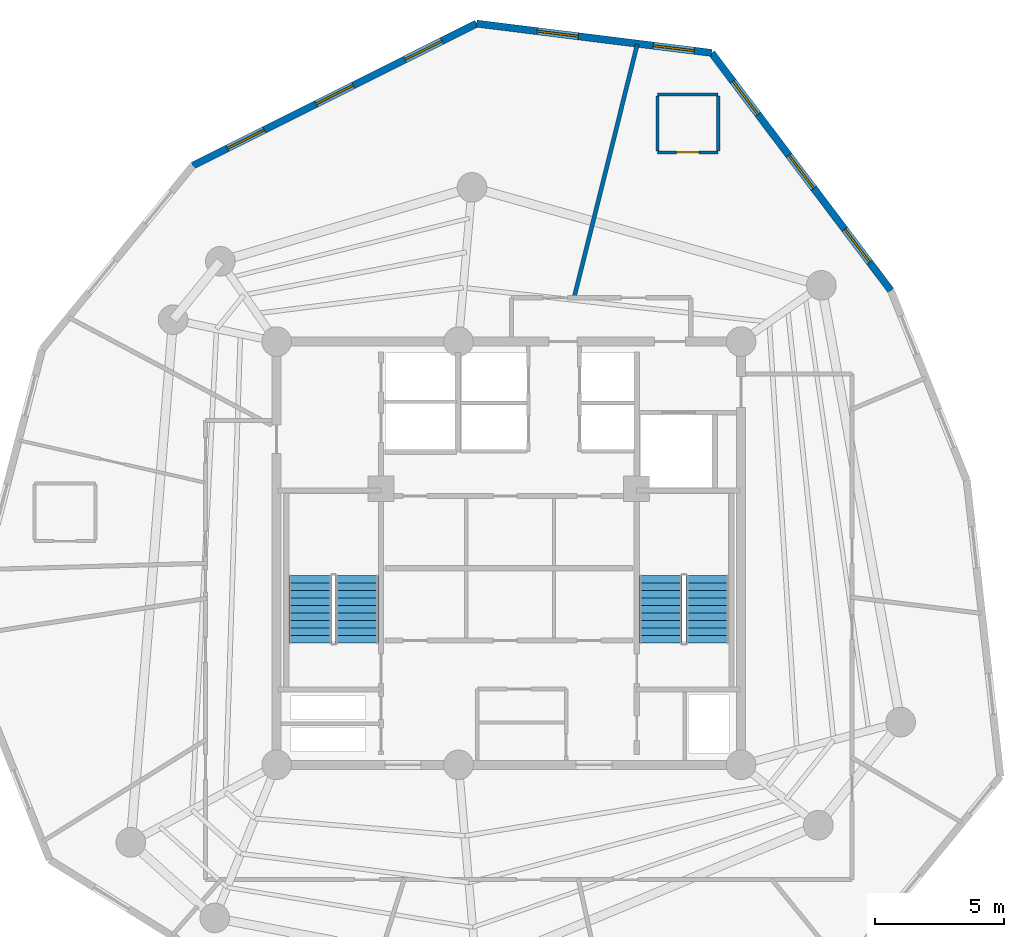
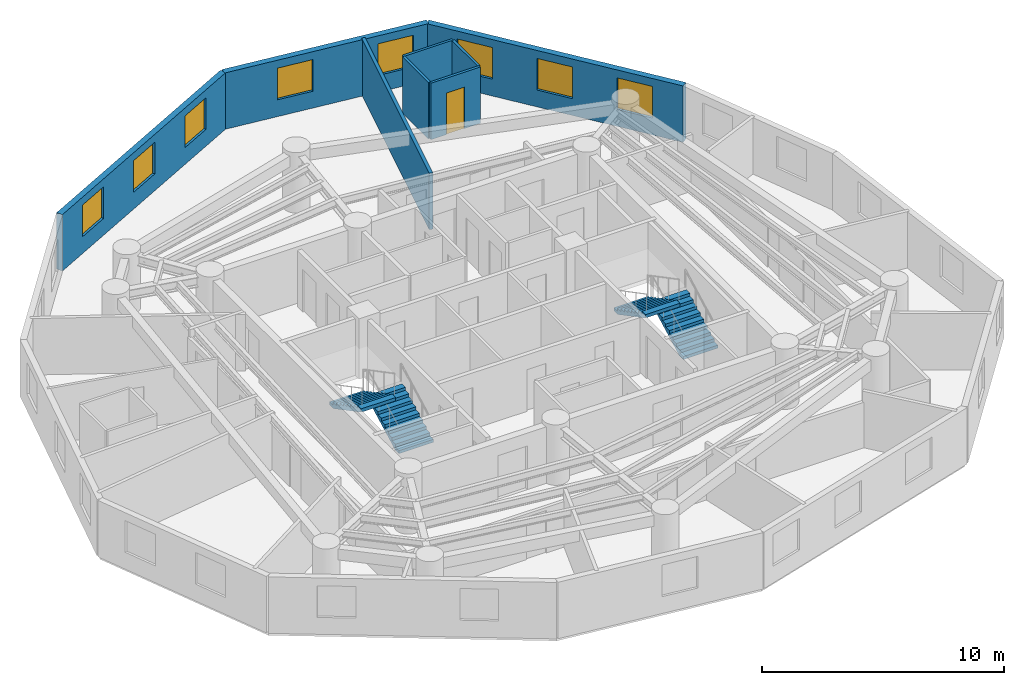
# One storey, part 6 of 7: 8 walls, 8 windows, 4 stair flights, 1 door, 9 openings, 2 elements without a shape of their own.
"""IFC4 building model written with IfcOpenShell, lengths in metres."""

from ifc_helpers import new_model, si_unit, direction, frame, frame_2d, origin, origin_with_axes, place, context, subcontext, project, spatial, polyline, rectangle, outline, extrude, source, transform, mapped, material, layer, layer_set, type_object, element, fill, aggregate, save


model = new_model("IFC4")

# Units and contexts
model_context = context("Model", 3, precision=1e-05, world=origin(), true_north=direction((0.0, 1.0)))
body_context = subcontext(model_context, "Body", "Model", "MODEL_VIEW")
ifc_project = project(units=[si_unit("LENGTHUNIT", "METRE"), si_unit("AREAUNIT", "SQUARE_METRE"), si_unit("VOLUMEUNIT", "CUBIC_METRE"), si_unit("PLANEANGLEUNIT", "RADIAN"), si_unit("MASSUNIT", "GRAM", prefix="KILO")], contexts=[model_context])

# Site, building, storey
site_placement = place(None, origin())
site = spatial("IfcSite", under=ifc_project, at=site_placement, CompositionType="ELEMENT")
building_placement = place(site_placement, origin())
building = spatial("IfcBuilding", under=site, at=building_placement, Name="Karkom Vertical University and Central Library", CompositionType="ELEMENT")
storey_placement = place(building_placement, frame((0.0, 0.0, 241.300048828125)))
storey = spatial("IfcBuildingStorey", under=building, at=storey_placement, Name="L71", CompositionType="ELEMENT", Elevation=241.300048828125)

# Wall, openings, windows
ifc_material_1 = material(Name="Brick-faced precast concrete C45/55", Category="masonry")
ifc_layer_1 = layer(ifc_material_1, 0.280029296875)
ifc_layer_set_1 = layer_set([ifc_layer_1], Name="Brick-faced precast concrete C45/55")
wall_type_1 = type_object("IfcWallType", Name="ENV-WL-BRK-280", PredefinedType="SOLIDWALL", material=ifc_layer_set_1)
wall_1_placement = place(storey_placement, frame((43.313232421875, 36.6728515625, 0.0), z_axis=(0.0, 0.0, 1.0), x_axis=(-0.602328364813, 0.79824842057, 0.0)))
wall_1 = element("IfcWall", 1, at=wall_1_placement, inside=storey, type_object=wall_type_1, Name="Level 71 Brick-Faced Precast Facade Wall 08", PredefinedType="SOLIDWALL", context=body_context, shape_type="SweptSolid", body=[
    extrude(rectangle(XDim=11.546630859375, YDim=0.280029296875, at=frame_2d((5.7734375, 0.0))), origin(), (0.0, 0.0, 1.0), 2.849853515625),
])
opening_1_placement = place(wall_1_placement, frame((1.377685546875, 0.0, 0.85009765625)))
opening_1 = element("IfcOpeningElement", 2, at=opening_1_placement, cuts=wall_1, Name="Opening WN-10", PredefinedType="OPENING", context=body_context, shape_type="SweptSolid", body=[
    extrude(rectangle(XDim=1.60009765625, YDim=1.60009765625, at=frame_2d((0.800048828125, 0.800048828125))), frame((0.0, 0.14990234375, 0.0), z_axis=(0.0, -1.0, 0.0), x_axis=(1.0, 0.0, 0.0)), (0.0, 0.0, 1.0), 0.300048828125),
])
opening_2_placement = place(wall_1_placement, frame((4.973388671875, 0.0, 0.85009765625)))
opening_2 = element("IfcOpeningElement", 3, at=opening_2_placement, cuts=wall_1, Name="Opening WN-10", PredefinedType="OPENING", context=body_context, shape_type="SweptSolid", body=[
    extrude(rectangle(XDim=1.60009765625, YDim=1.60009765625, at=frame_2d((0.800048828125, 0.800048828125))), frame((0.0, 0.14990234375, 0.0), z_axis=(0.0, -1.0, 0.0), x_axis=(1.0, 0.0, 0.0)), (0.0, 0.0, 1.0), 0.300048828125),
])
opening_3_placement = place(wall_1_placement, frame((8.56884765625, 0.0, 0.85009765625)))
opening_3 = element("IfcOpeningElement", 4, at=opening_3_placement, cuts=wall_1, Name="Opening WN-10", PredefinedType="OPENING", context=body_context, shape_type="SweptSolid", body=[
    extrude(rectangle(XDim=1.60009765625, YDim=1.60009765625, at=frame_2d((0.800048828125, 0.800048828125))), frame((0.0, 0.14990234375, 0.0), z_axis=(0.0, -1.0, 0.0), x_axis=(1.0, 0.0, 0.0)), (0.0, 0.0, 1.0), 0.300048828125),
])
ifc_material_2 = material(Name="Aluminium thermal-break frame with solar-control IGU", Category="aluminium")
window_type = type_object("IfcWindowType", Name="ENV-WIN-WN-10", PartitioningType="SINGLE_PANEL", PredefinedType="WINDOW", material=ifc_material_2)
shared_shape_1 = source(origin_with_axes(), body_context, "Body", "SweptSolid", [
    extrude(rectangle(XDim=1.60009765625, YDim=1.60009765625, at=frame_2d((0.800048828125, 0.800048828125))), frame((0.0, 0.030029296875, 0.0), z_axis=(0.0, -1.0, 0.0), x_axis=(1.0, 0.0, 0.0)), (0.0, 0.0, 1.0), 0.06005859375),
])
window_1_placement = place(opening_1_placement, origin())
window_1 = element("IfcWindow", 5, at=window_1_placement, inside=storey, type_object=window_type, Name="Level 71 Punched Window 8.1", OverallHeight=1.60009765625, OverallWidth=1.60009765625, PartitioningType="SINGLE_PANEL", PredefinedType="WINDOW", context=body_context, shape_type="MappedRepresentation", body=[
    mapped(shared_shape_1, transform((0.0, 0.0, 0.0), scale=1.0)),
])
fill(opening_1, window_1)
window_2_placement = place(opening_2_placement, origin())
window_2 = element("IfcWindow", 6, at=window_2_placement, inside=storey, type_object=window_type, Name="Level 71 Punched Window 8.2", OverallHeight=1.60009765625, OverallWidth=1.60009765625, PartitioningType="SINGLE_PANEL", PredefinedType="WINDOW", context=body_context, shape_type="MappedRepresentation", body=[
    mapped(shared_shape_1, transform((0.0, 0.0, 0.0), scale=1.0)),
])
fill(opening_2, window_2)
window_3_placement = place(opening_3_placement, origin())
window_3 = element("IfcWindow", 7, at=window_3_placement, inside=storey, type_object=window_type, Name="Level 71 Punched Window 8.3", OverallHeight=1.60009765625, OverallWidth=1.60009765625, PartitioningType="SINGLE_PANEL", PredefinedType="WINDOW", context=body_context, shape_type="MappedRepresentation", body=[
    mapped(shared_shape_1, transform((0.0, 0.0, 0.0), scale=1.0)),
])
fill(opening_3, window_3)

wall_2_placement = place(storey_placement, frame((36.3583984375, 45.889892578125, 0.0), z_axis=(0.0, 0.0, 1.0), x_axis=(-0.992319149764, 0.123704102644, 0.0)))
wall_2 = element("IfcWall", 8, at=wall_2_placement, inside=storey, type_object=wall_type_1, Name="Level 71 Brick-Faced Precast Facade Wall 09", PredefinedType="SOLIDWALL", context=body_context, shape_type="SweptSolid", body=[
    extrude(rectangle(XDim=9.17919921875, YDim=0.280029296875, at=frame_2d((4.589599609375, 0.0))), origin(), (0.0, 0.0, 1.0), 2.849853515625),
])
opening_4_placement = place(wall_2_placement, frame((0.68115234375, 0.0, 0.85009765625)))
opening_4 = element("IfcOpeningElement", 9, at=opening_4_placement, cuts=wall_2, Name="Opening WN-10", PredefinedType="OPENING", context=body_context, shape_type="SweptSolid", body=[
    extrude(rectangle(XDim=1.60009765625, YDim=1.60009765625, at=frame_2d((0.800048828125, 0.800048828125))), frame((0.0, 0.14990234375, 0.0), z_axis=(0.0, -1.0, 0.0), x_axis=(1.0, 0.0, 0.0)), (0.0, 0.0, 1.0), 0.300048828125),
])
opening_5_placement = place(wall_2_placement, frame((5.210693359375, 0.0, 0.85009765625)))
opening_5 = element("IfcOpeningElement", 10, at=opening_5_placement, cuts=wall_2, Name="Opening WN-10", PredefinedType="OPENING", context=body_context, shape_type="SweptSolid", body=[
    extrude(rectangle(XDim=1.60009765625, YDim=1.60009765625, at=frame_2d((0.800048828125, 0.800048828125))), frame((0.0, 0.14990234375, 0.0), z_axis=(0.0, -1.0, 0.0), x_axis=(1.0, 0.0, 0.0)), (0.0, 0.0, 1.0), 0.300048828125),
])
window_4_placement = place(opening_4_placement, origin())
window_4 = element("IfcWindow", 11, at=window_4_placement, inside=storey, type_object=window_type, Name="Level 71 Punched Window 9.1", OverallHeight=1.60009765625, OverallWidth=1.60009765625, PartitioningType="SINGLE_PANEL", PredefinedType="WINDOW", context=body_context, shape_type="MappedRepresentation", body=[
    mapped(shared_shape_1, transform((0.0, 0.0, 0.0), scale=1.0)),
])
fill(opening_4, window_4)
window_5_placement = place(opening_5_placement, origin())
window_5 = element("IfcWindow", 12, at=window_5_placement, inside=storey, type_object=window_type, Name="Level 71 Punched Window 9.2", OverallHeight=1.60009765625, OverallWidth=1.60009765625, PartitioningType="SINGLE_PANEL", PredefinedType="WINDOW", context=body_context, shape_type="MappedRepresentation", body=[
    mapped(shared_shape_1, transform((0.0, 0.0, 0.0), scale=1.0)),
])
fill(opening_5, window_5)

wall_3_placement = place(storey_placement, frame((27.249755859375, 47.025390625, 0.0), z_axis=(0.0, 0.0, 1.0), x_axis=(-0.894196854903, -0.447673971414, 0.0)))
wall_3 = element("IfcWall", 13, at=wall_3_placement, inside=storey, type_object=wall_type_1, Name="Level 71 Brick-Faced Precast Facade Wall 10", PredefinedType="SOLIDWALL", context=body_context, shape_type="SweptSolid", body=[
    extrude(rectangle(XDim=12.301513671875, YDim=0.280029296875, at=frame_2d((6.15087890625, 0.0))), origin(), (0.0, 0.0, 1.0), 2.849853515625),
])
opening_6_placement = place(wall_3_placement, frame((1.503662109375, 0.0, 0.85009765625)))
opening_6 = element("IfcOpeningElement", 14, at=opening_6_placement, cuts=wall_3, Name="Opening WN-10", PredefinedType="OPENING", context=body_context, shape_type="SweptSolid", body=[
    extrude(rectangle(XDim=1.60009765625, YDim=1.60009765625, at=frame_2d((0.800048828125, 0.800048828125))), frame((0.0, 0.14990234375, 0.0), z_axis=(0.0, -1.0, 0.0), x_axis=(1.0, 0.0, 0.0)), (0.0, 0.0, 1.0), 0.300048828125),
])
opening_7_placement = place(wall_3_placement, frame((5.350830078125, 0.0, 0.85009765625)))
opening_7 = element("IfcOpeningElement", 15, at=opening_7_placement, cuts=wall_3, Name="Opening WN-10", PredefinedType="OPENING", context=body_context, shape_type="SweptSolid", body=[
    extrude(rectangle(XDim=1.60009765625, YDim=1.60009765625, at=frame_2d((0.800048828125, 0.800048828125))), frame((0.0, 0.14990234375, 0.0), z_axis=(0.0, -1.0, 0.0), x_axis=(1.0, 0.0, 0.0)), (0.0, 0.0, 1.0), 0.300048828125),
])
opening_8_placement = place(wall_3_placement, frame((9.197998046875, 0.0, 0.85009765625)))
opening_8 = element("IfcOpeningElement", 16, at=opening_8_placement, cuts=wall_3, Name="Opening WN-10", PredefinedType="OPENING", context=body_context, shape_type="SweptSolid", body=[
    extrude(rectangle(XDim=1.60009765625, YDim=1.60009765625, at=frame_2d((0.800048828125, 0.800048828125))), frame((0.0, 0.14990234375, 0.0), z_axis=(0.0, -1.0, 0.0), x_axis=(1.0, 0.0, 0.0)), (0.0, 0.0, 1.0), 0.300048828125),
])
window_6_placement = place(opening_6_placement, origin())
window_6 = element("IfcWindow", 17, at=window_6_placement, inside=storey, type_object=window_type, Name="Level 71 Punched Window 10.1", OverallHeight=1.60009765625, OverallWidth=1.60009765625, PartitioningType="SINGLE_PANEL", PredefinedType="WINDOW", context=body_context, shape_type="MappedRepresentation", body=[
    mapped(shared_shape_1, transform((0.0, 0.0, 0.0), scale=1.0)),
])
fill(opening_6, window_6)
window_7_placement = place(opening_7_placement, origin())
window_7 = element("IfcWindow", 18, at=window_7_placement, inside=storey, type_object=window_type, Name="Level 71 Punched Window 10.2", OverallHeight=1.60009765625, OverallWidth=1.60009765625, PartitioningType="SINGLE_PANEL", PredefinedType="WINDOW", context=body_context, shape_type="MappedRepresentation", body=[
    mapped(shared_shape_1, transform((0.0, 0.0, 0.0), scale=1.0)),
])
fill(opening_7, window_7)
window_8_placement = place(opening_8_placement, origin())
window_8 = element("IfcWindow", 19, at=window_8_placement, inside=storey, type_object=window_type, Name="Level 71 Punched Window 10.3", OverallHeight=1.60009765625, OverallWidth=1.60009765625, PartitioningType="SINGLE_PANEL", PredefinedType="WINDOW", context=body_context, shape_type="MappedRepresentation", body=[
    mapped(shared_shape_1, transform((0.0, 0.0, 0.0), scale=1.0)),
])
fill(opening_8, window_8)

# Wall
ifc_material_3 = material(Name="Insulated metal-stud drywall 160mm", Category="gypsum")
ifc_layer_2 = layer(ifc_material_3, 0.159912109375)
ifc_layer_set_2 = layer_set([ifc_layer_2], Name="Insulated metal-stud drywall 160mm")
wall_type_2 = type_object("IfcWallType", Name="INT-WL-COR-160", PredefinedType="PARTITIONING", material=ifc_layer_set_2)
wall_4_placement = place(storey_placement, frame((31.02294921875, 36.370849609375, 0.0), z_axis=(0.0, 0.0, 1.0), x_axis=(0.241930235994, 0.970293646744, 0.0)))
element("IfcWall", 20, at=wall_4_placement, inside=storey, type_object=wall_type_2, Name="Level 71 Interior Partition Wall L71-PW-013", PredefinedType="PARTITIONING", context=body_context, shape_type="SweptSolid", body=[
    extrude(rectangle(XDim=10.154052734375, YDim=0.159912109375, at=frame_2d((5.0771484375, 0.0))), origin(), (0.0, 0.0, 1.0), 2.849853515625),
])

# Wall, opening, door
ifc_material_4 = material(Name="Moisture-resistant drywall 120mm", Category="gypsum")
ifc_layer_3 = layer(ifc_material_4, 0.1201171875)
ifc_layer_set_3 = layer_set([ifc_layer_3], Name="Moisture-resistant drywall 120mm")
wall_type_3 = type_object("IfcWallType", Name="INT-WL-INT-120F", PredefinedType="PARTITIONING", material=ifc_layer_set_3)
wall_5_placement = place(storey_placement, frame((34.2548828125, 42.035888671875, 0.0), z_axis=(0.0, 0.0, 1.0), x_axis=(1.0, 0.0, 0.0)))
wall_5 = element("IfcWall", 21, at=wall_5_placement, inside=storey, type_object=wall_type_3, Name="Level 71 Interior Partition Wall L71-ENS-49-S", PredefinedType="PARTITIONING", context=body_context, shape_type="SweptSolid", body=[
    extrude(rectangle(XDim=2.360107421875, YDim=0.1201171875, at=frame_2d((1.18017578125, 0.0))), origin(), (0.0, 0.0, 1.0), 2.849853515625),
])
opening_9_placement = place(wall_5_placement, frame((0.75, 0.0, 0.0)))
opening_9 = element("IfcOpeningElement", 22, at=opening_9_placement, cuts=wall_5, Name="Opening D-BATH", PredefinedType="OPENING", context=body_context, shape_type="SweptSolid", body=[
    extrude(rectangle(XDim=0.860107421875, YDim=2.10009765625, at=frame_2d((0.43017578125, 1.050048828125))), frame((0.0, 0.070068359375, 0.0), z_axis=(0.0, -1.0, 0.0), x_axis=(1.0, 0.0, 0.0)), (0.0, 0.0, 1.0), 0.14013671875),
])
ifc_material_5 = material(Name="Moisture-resistant oak door", Category="wood")
door_type = type_object("IfcDoorType", Name="INT-DR-BATH", OperationType="NOTDEFINED", PredefinedType="DOOR", material=ifc_material_5)
shared_shape_2 = source(origin_with_axes(), body_context, "Body", "SweptSolid", [
    extrude(rectangle(XDim=0.860107421875, YDim=2.10009765625, at=frame_2d((0.43017578125, 1.050048828125))), frame((0.0, 0.02490234375, 0.0), z_axis=(0.0, -1.0, 0.0), x_axis=(1.0, 0.0, 0.0)), (0.0, 0.0, 1.0), 0.050048828125),
])
door_placement = place(opening_9_placement, origin())
door = element("IfcDoor", 23, at=door_placement, inside=storey, type_object=door_type, Name="Level 71 En-Suite Bathroom Door 49", OperationType="SINGLE_SWING_LEFT", OverallHeight=2.10009765625, OverallWidth=0.860107421875, PredefinedType="DOOR", context=body_context, shape_type="MappedRepresentation", body=[
    mapped(shared_shape_2, transform((0.0, 0.0, 0.0), scale=1.0)),
])
fill(opening_9, door)

# Walls
wall_6_placement = place(storey_placement, frame((36.614990234375, 44.27587890625, 0.0), z_axis=(0.0, 0.0, 1.0), x_axis=(-1.0, 0.0, 0.0)))
element("IfcWall", 24, at=wall_6_placement, inside=storey, type_object=wall_type_3, Name="Level 71 Interior Partition Wall L71-ENS-49-N", PredefinedType="PARTITIONING", context=body_context, shape_type="SweptSolid", body=[
    extrude(rectangle(XDim=2.360107421875, YDim=0.1201171875, at=frame_2d((1.18017578125, 0.0))), origin(), (0.0, 0.0, 1.0), 2.849853515625),
])
for number, where, z_axis, x_axis, name in (
    (25, (36.614990234375, 42.0859375, 0.0), (0.0, 0.0, 1.0), (0.0, 1.0, 0.0), "Level 71 Interior Partition Wall L71-ENS-49-E"),
    (26, (34.2548828125, 44.22607421875, 0.0), (0.0, 0.0, 1.0), (0.0, -1.0, 0.0), "Level 71 Interior Partition Wall L71-ENS-49-W"),
):
    element("IfcWall", number, at=place(storey_placement, frame(where, z_axis=z_axis, x_axis=x_axis)), inside=storey, type_object=wall_type_3, Name=name, PredefinedType="PARTITIONING", context=body_context, shape_type="SweptSolid", body=[
        extrude(rectangle(XDim=2.14013671875, YDim=0.1201171875, at=frame_2d((1.070068359375, 0.0))), origin(), (0.0, 0.0, 1.0), 2.849853515625),
    ])

# Stair, stair flights
ifc_material_6 = material(Name="Concrete C45/55", Category="concrete")
stair_type = type_object("IfcStairType", Name="INT-STR-ST-MAIN", PredefinedType="HALF_TURN_STAIR", material=ifc_material_6)
stair_1_placement = place(storey_placement, origin())
stair_1 = element("IfcStair", 27, at=stair_1_placement, inside=storey, type_object=stair_type, Name="Level 71 Tower Protected Exit Stair ST-1", PredefinedType="HALF_TURN_STAIR")
stair_flight_type = type_object("IfcStairFlightType", Name="INT-SFL-ST-MAIN", PredefinedType="STRAIGHT", material=ifc_material_6)
stair_flight_1_placement = place(storey_placement, frame((22.614990234375, 23.02001953125, 0.0), z_axis=(0.0, 0.0, 1.0), x_axis=(0.0, 1.0, 0.0)))
stair_flight_1 = element("IfcStairFlight", 28, at=stair_flight_1_placement, type_object=stair_flight_type, Name="ST-1 flight 1", NumberOfRisers=10, NumberOfTreads=9, PredefinedType="STRAIGHT", RiserHeight=0.1525, TreadLength=0.29, context=body_context, shape_type="SweptSolid", body=[
    extrude(outline(polyline([(0.0, 0.0), (0.0, 0.152587890625), (0.2900390625, 0.152587890625), (0.2900390625, 0.304931640625), (0.580078125, 0.304931640625), (0.580078125, 0.45751953125), (0.8701171875, 0.45751953125), (0.8701171875, 0.610107421875), (1.159912109375, 0.610107421875), (1.159912109375, 0.762451171875), (1.449951171875, 0.762451171875), (1.449951171875, 0.9150390625), (1.739990234375, 0.9150390625), (1.739990234375, 1.0673828125), (2.030029296875, 1.0673828125), (2.030029296875, 1.219970703125), (2.320068359375, 1.219970703125), (2.320068359375, 1.37255859375), (2.610107421875, 1.37255859375), (2.610107421875, 1.52490234375), (2.610107421875, 1.203125), (0.322021484375, 0.0), (0.0, 0.0)])), frame((0.0, 0.824951171875, 0.0), z_axis=(0.0, -1.0, 0.0), x_axis=(1.0, 0.0, 0.0)), (0.0, 0.0, 1.0), 1.64990234375),
])
stair_flight_2_placement = place(storey_placement, frame((20.804931640625, 25.6298828125, 1.52490234375), z_axis=(0.0, 0.0, 1.0), x_axis=(0.0, -1.0, 0.0)))
stair_flight_2 = element("IfcStairFlight", 29, at=stair_flight_2_placement, type_object=stair_flight_type, Name="ST-1 flight 2", NumberOfRisers=10, NumberOfTreads=9, PredefinedType="STRAIGHT", RiserHeight=0.1525, TreadLength=0.29, context=body_context, shape_type="SweptSolid", body=[
    extrude(outline(polyline([(0.0, 0.0), (0.0, 0.152587890625), (0.2900390625, 0.152587890625), (0.2900390625, 0.304931640625), (0.580078125, 0.304931640625), (0.580078125, 0.45751953125), (0.8701171875, 0.45751953125), (0.8701171875, 0.610107421875), (1.159912109375, 0.610107421875), (1.159912109375, 0.762451171875), (1.449951171875, 0.762451171875), (1.449951171875, 0.9150390625), (1.739990234375, 0.9150390625), (1.739990234375, 1.0673828125), (2.030029296875, 1.0673828125), (2.030029296875, 1.219970703125), (2.320068359375, 1.219970703125), (2.320068359375, 1.37255859375), (2.610107421875, 1.37255859375), (2.610107421875, 1.52490234375), (2.610107421875, 1.203125), (0.322021484375, 0.0), (0.0, 0.0)])), frame((0.0, 0.824951171875, 0.0), z_axis=(0.0, -1.0, 0.0), x_axis=(1.0, 0.0, 0.0)), (0.0, 0.0, 1.0), 1.64990234375),
])
aggregate(stair_1, [stair_flight_1, stair_flight_2])

stair_2_placement = place(storey_placement, origin())
stair_2 = element("IfcStair", 30, at=stair_2_placement, inside=storey, type_object=stair_type, Name="Level 71 Tower Protected Exit Stair ST-2", PredefinedType="HALF_TURN_STAIR")
stair_flight_3_placement = place(storey_placement, frame((36.195068359375, 23.02001953125, 0.0), z_axis=(0.0, 0.0, 1.0), x_axis=(0.0, 1.0, 0.0)))
stair_flight_3 = element("IfcStairFlight", 31, at=stair_flight_3_placement, type_object=stair_flight_type, Name="ST-2 flight 1", NumberOfRisers=10, NumberOfTreads=9, PredefinedType="STRAIGHT", RiserHeight=0.1525, TreadLength=0.29, context=body_context, shape_type="SweptSolid", body=[
    extrude(outline(polyline([(0.0, 0.0), (0.0, 0.152587890625), (0.2900390625, 0.152587890625), (0.2900390625, 0.304931640625), (0.580078125, 0.304931640625), (0.580078125, 0.45751953125), (0.8701171875, 0.45751953125), (0.8701171875, 0.610107421875), (1.159912109375, 0.610107421875), (1.159912109375, 0.762451171875), (1.449951171875, 0.762451171875), (1.449951171875, 0.9150390625), (1.739990234375, 0.9150390625), (1.739990234375, 1.0673828125), (2.030029296875, 1.0673828125), (2.030029296875, 1.219970703125), (2.320068359375, 1.219970703125), (2.320068359375, 1.37255859375), (2.610107421875, 1.37255859375), (2.610107421875, 1.52490234375), (2.610107421875, 1.203125), (0.322021484375, 0.0), (0.0, 0.0)])), frame((0.0, 0.824951171875, 0.0), z_axis=(0.0, -1.0, 0.0), x_axis=(1.0, 0.0, 0.0)), (0.0, 0.0, 1.0), 1.64990234375),
])
stair_flight_4_placement = place(storey_placement, frame((34.385009765625, 25.6298828125, 1.52490234375), z_axis=(0.0, 0.0, 1.0), x_axis=(0.0, -1.0, 0.0)))
stair_flight_4 = element("IfcStairFlight", 32, at=stair_flight_4_placement, type_object=stair_flight_type, Name="ST-2 flight 2", NumberOfRisers=10, NumberOfTreads=9, PredefinedType="STRAIGHT", RiserHeight=0.1525, TreadLength=0.29, context=body_context, shape_type="SweptSolid", body=[
    extrude(outline(polyline([(0.0, 0.0), (0.0, 0.152587890625), (0.2900390625, 0.152587890625), (0.2900390625, 0.304931640625), (0.580078125, 0.304931640625), (0.580078125, 0.45751953125), (0.8701171875, 0.45751953125), (0.8701171875, 0.610107421875), (1.159912109375, 0.610107421875), (1.159912109375, 0.762451171875), (1.449951171875, 0.762451171875), (1.449951171875, 0.9150390625), (1.739990234375, 0.9150390625), (1.739990234375, 1.0673828125), (2.030029296875, 1.0673828125), (2.030029296875, 1.219970703125), (2.320068359375, 1.219970703125), (2.320068359375, 1.37255859375), (2.610107421875, 1.37255859375), (2.610107421875, 1.52490234375), (2.610107421875, 1.203125), (0.322021484375, 0.0), (0.0, 0.0)])), frame((0.0, 0.824951171875, 0.0), z_axis=(0.0, -1.0, 0.0), x_axis=(1.0, 0.0, 0.0)), (0.0, 0.0, 1.0), 1.64990234375),
])
aggregate(stair_2, [stair_flight_3, stair_flight_4])

save(model, "model.ifc")
